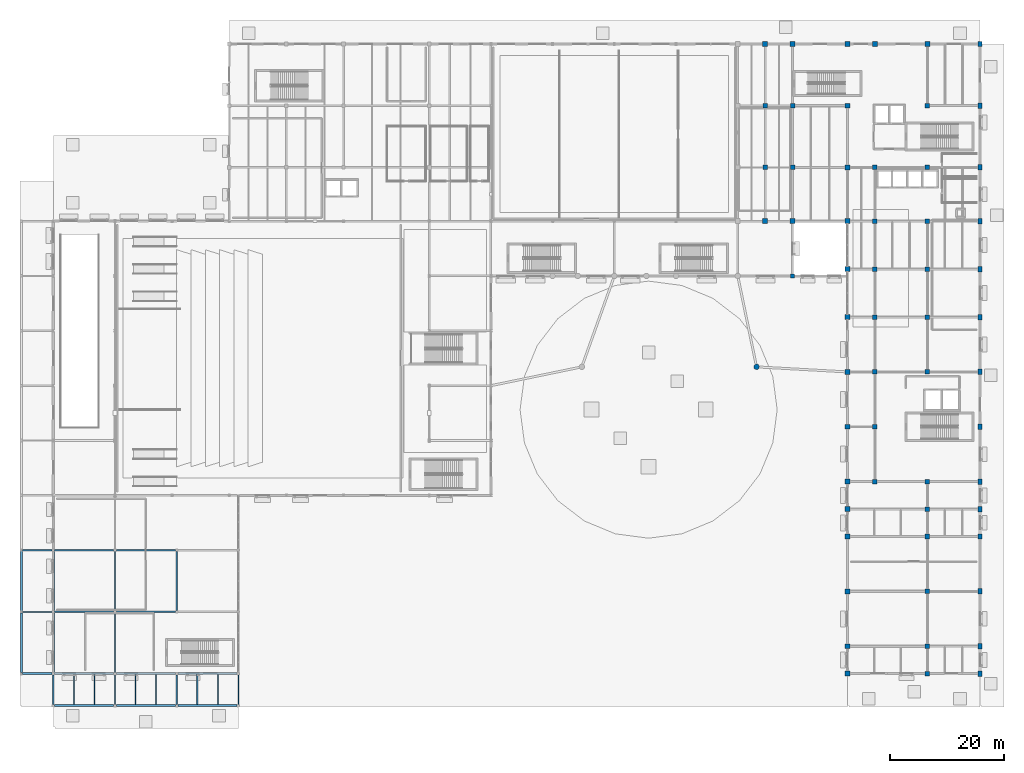
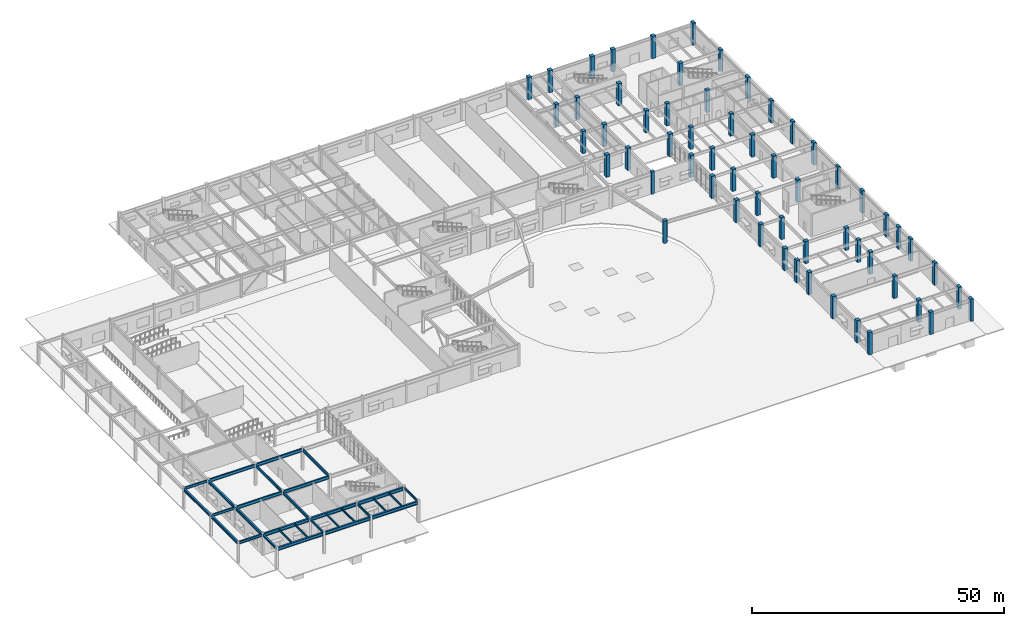
# One storey, part 9 of 54: 59 columns, 30 beams.
"""IFC4 building model written with IfcOpenShell, lengths in metres."""

from ifc_helpers import new_model, si_unit, direction, frame, origin, origin_2d, place, context, subcontext, project, spatial, rectangle, circle, i_section, extrude, material, material_profile, profile_set, type_object, element, save


model = new_model("IFC4")

# Units and contexts
model_context = context("Model", 3, precision=1e-05, world=origin(), true_north=direction((0.0, 1.0)))
body_context = subcontext(model_context, "Body", "Model", "MODEL_VIEW")
ifc_project = project(units=[si_unit("LENGTHUNIT", "METRE"), si_unit("AREAUNIT", "SQUARE_METRE"), si_unit("VOLUMEUNIT", "CUBIC_METRE"), si_unit("PLANEANGLEUNIT", "RADIAN"), si_unit("MASSUNIT", "GRAM", prefix="KILO")], contexts=[model_context])

# Site, building, storey
site_placement = place(None, origin())
site = spatial("IfcSite", under=ifc_project, at=site_placement, CompositionType="ELEMENT")
building_placement = place(site_placement, origin())
building = spatial("IfcBuilding", under=site, at=building_placement, Name="Veldera Park Congress Hotel", CompositionType="ELEMENT")
storey_placement = place(building_placement, origin())
storey = spatial("IfcBuildingStorey", under=building, at=storey_placement, Name="L00", CompositionType="ELEMENT", Elevation=0.0)

# Columns
ifc_material_1 = material(Name="Concrete f'c 50 MPa (7,250 psi)", Category="concrete")
ifc_material_profile_1 = material_profile(ifc_material_1, rectangle(XDim=0.64990234375, YDim=0.949951171875, at=origin_2d()), Name="RC 650x950")
ifc_profile_set_1 = profile_set([ifc_material_profile_1], Name="Concrete f'c 50 MPa (7,250 psi)")
column_type_1 = type_object("IfcColumnType", Name="COL-PIL90E", PredefinedType="PILASTER", material=ifc_profile_set_1)
for number, where, z_axis, x_axis, name in (
    (1, (84.0, -52.199951171875, 0.0), (0.0, 0.0, 1.0), (1.0, 0.0, 0.0), "L00 Column COL-PIL90E (84.0,-52.2)"),
    (2, (84.0, -47.39990234375, 0.0), (0.0, 0.0, 1.0), (1.0, 0.0, 0.0), "L00 Column COL-PIL90E (84.0,-47.4)"),
    (3, (84.0, -37.800048828125, 0.0), (0.0, 0.0, 1.0), (1.0, 0.0, 0.0), "L00 Column COL-PIL90E (84.0,-37.8)"),
    (4, (84.0, -28.199951171875, 0.0), (0.0, 0.0, 1.0), (1.0, 0.0, 0.0), "L00 Column COL-PIL90E (84.0,-28.2)"),
    (5, (84.0, -23.39990234375, 0.0), (0.0, 0.0, 1.0), (1.0, 0.0, 0.0), "L00 Column COL-PIL90E (84.0,-23.4)"),
    (6, (84.0, -18.60009765625, 0.0), (0.0, 0.0, 1.0), (1.0, 0.0, 0.0), "L00 Column COL-PIL90E (84.0,-18.6)"),
    (7, (84.0, -9.0, 0.0), (0.0, 0.0, 1.0), (1.0, 0.0, 0.0), "L00 Column COL-PIL90E (84.0,-9.0)"),
    (8, (84.0, 0.60009765625, 0.0), (0.0, 0.0, 1.0), (1.0, 0.0, 0.0), "L00 Column COL-PIL90E (84.0,0.6)"),
    (9, (84.0, 10.199951171875, 0.0), (0.0, 0.0, 1.0), (1.0, 0.0, 0.0), "L00 Column COL-PIL90E (84.0,10.2)"),
    (10, (84.0, 18.60009765625, 0.0), (0.0, 0.0, 1.0), (1.0, 0.0, 0.0), "L00 Column COL-PIL90E (84.0,18.6)"),
    (11, (84.0, 27.0, 0.0), (0.0, 0.0, 1.0), (1.0, 0.0, 0.0), "L00 Column COL-PIL90E (84.0,27.0)"),
    (12, (84.0, 36.39990234375, 0.0), (0.0, 0.0, 1.0), (1.0, 0.0, 0.0), "L00 Column COL-PIL90E (84.0,36.4)"),
    (13, (84.0, 47.199951171875, 0.0), (0.0, 0.0, 1.0), (1.0, 0.0, 0.0), "L00 Column COL-PIL90E (84.0,47.2)"),
    (14, (84.0, 58.0, 0.0), (0.0, 0.0, 1.0), (1.0, 0.0, 0.0), "L00 Column COL-PIL90E (84.0,58.0)"),
):
    element("IfcColumn", number, at=place(storey_placement, frame(where, z_axis=z_axis, x_axis=x_axis)), inside=storey, type_object=column_type_1, Name=name, PredefinedType="PILASTER", context=body_context, shape_type="SweptSolid", body=[
        extrude(rectangle(XDim=0.64990234375, YDim=0.949951171875, at=origin_2d()), origin(), (0.0, 0.0, 1.0), 5.39990234375),
    ])
ifc_material_2 = material(Name="Concrete f'c 40 MPa (5,800 psi)", Category="concrete")
ifc_material_profile_2 = material_profile(ifc_material_2, rectangle(XDim=0.699951171875, YDim=0.699951171875, at=origin_2d()), Name="RC 700x700")
ifc_profile_set_2 = profile_set([ifc_material_profile_2], Name="Concrete f'c 40 MPa (5,800 psi)")
column_type_2 = type_object("IfcColumnType", Name="COL-RC65E", PredefinedType="COLUMN", material=ifc_profile_set_2)
column_1_placement = place(storey_placement, frame((51.199951171875, 17.39990234375, 0.0), z_axis=(0.0, 0.0, 1.0), x_axis=(1.0, 0.0, 0.0)))
element("IfcColumn", 15, at=column_1_placement, inside=storey, type_object=column_type_2, Name="L00 Column COL-RC65E (51.2,17.4)", PredefinedType="COLUMN", context=body_context, shape_type="SweptSolid", body=[
    extrude(rectangle(XDim=0.699951171875, YDim=0.699951171875, at=origin_2d()), origin(), (0.0, 0.0, 1.0), 5.39990234375),
])
ifc_material_profile_3 = material_profile(ifc_material_1, rectangle(XDim=0.800048828125, YDim=0.800048828125, at=origin_2d()), Name="RC 800x800")
ifc_profile_set_3 = profile_set([ifc_material_profile_3], Name="Concrete f'c 50 MPa (7,250 psi)")
column_type_3 = type_object("IfcColumnType", Name="COL-RC80", PredefinedType="COLUMN", material=ifc_profile_set_3)
for number, where, z_axis, x_axis, name in (
    (16, (74.800048828125, -52.199951171875, 0.0), (0.0, 0.0, 1.0), (1.0, 0.0, 0.0), "L00 Column COL-RC80 (74.8,-52.2)"),
    (17, (74.800048828125, -47.39990234375, 0.0), (0.0, 0.0, 1.0), (1.0, 0.0, 0.0), "L00 Column COL-RC80 (74.8,-47.4)"),
    (18, (74.800048828125, -37.800048828125, 0.0), (0.0, 0.0, 1.0), (1.0, 0.0, 0.0), "L00 Column COL-RC80 (74.8,-37.8)"),
    (19, (74.800048828125, -28.199951171875, 0.0), (0.0, 0.0, 1.0), (1.0, 0.0, 0.0), "L00 Column COL-RC80 (74.8,-28.2)"),
    (20, (74.800048828125, -23.39990234375, 0.0), (0.0, 0.0, 1.0), (1.0, 0.0, 0.0), "L00 Column COL-RC80 (74.8,-23.4)"),
    (21, (74.800048828125, -18.60009765625, 0.0), (0.0, 0.0, 1.0), (1.0, 0.0, 0.0), "L00 Column COL-RC80 (74.8,-18.6)"),
    (22, (74.800048828125, 0.60009765625, 0.0), (0.0, 0.0, 1.0), (1.0, 0.0, 0.0), "L00 Column COL-RC80 (74.8,0.6)"),
    (23, (74.800048828125, 10.199951171875, 0.0), (0.0, 0.0, 1.0), (1.0, 0.0, 0.0), "L00 Column COL-RC80 (74.8,10.2)"),
    (24, (74.800048828125, 18.60009765625, 0.0), (0.0, 0.0, 1.0), (1.0, 0.0, 0.0), "L00 Column COL-RC80 (74.8,18.6)"),
    (25, (74.800048828125, 27.0, 0.0), (0.0, 0.0, 1.0), (1.0, 0.0, 0.0), "L00 Column COL-RC80 (74.8,27.0)"),
    (26, (74.800048828125, 36.39990234375, 0.0), (0.0, 0.0, 1.0), (1.0, 0.0, 0.0), "L00 Column COL-RC80 (74.8,36.4)"),
    (27, (74.800048828125, 47.199951171875, 0.0), (0.0, 0.0, 1.0), (1.0, 0.0, 0.0), "L00 Column COL-RC80 (74.8,47.2)"),
    (28, (65.60009765625, -18.60009765625, 0.0), (0.0, 0.0, 1.0), (1.0, 0.0, 0.0), "L00 Column COL-RC80 (65.6,-18.6)"),
    (29, (65.60009765625, -9.0, 0.0), (0.0, 0.0, 1.0), (1.0, 0.0, 0.0), "L00 Column COL-RC80 (65.6,-9.0)"),
    (30, (65.60009765625, 0.60009765625, 0.0), (0.0, 0.0, 1.0), (1.0, 0.0, 0.0), "L00 Column COL-RC80 (65.6,0.6)"),
    (31, (65.60009765625, 10.199951171875, 0.0), (0.0, 0.0, 1.0), (1.0, 0.0, 0.0), "L00 Column COL-RC80 (65.6,10.2)"),
    (32, (65.60009765625, 18.60009765625, 0.0), (0.0, 0.0, 1.0), (1.0, 0.0, 0.0), "L00 Column COL-RC80 (65.6,18.6)"),
    (33, (65.60009765625, 27.0, 0.0), (0.0, 0.0, 1.0), (1.0, 0.0, 0.0), "L00 Column COL-RC80 (65.6,27.0)"),
    (34, (65.60009765625, 36.39990234375, 0.0), (0.0, 0.0, 1.0), (1.0, 0.0, 0.0), "L00 Column COL-RC80 (65.6,36.4)"),
    (35, (46.39990234375, 36.39990234375, 0.0), (0.0, 0.0, 1.0), (1.0, 0.0, 0.0), "L00 Column COL-RC80 (46.4,36.4)"),
    (36, (46.39990234375, 47.199951171875, 0.0), (0.0, 0.0, 1.0), (1.0, 0.0, 0.0), "L00 Column COL-RC80 (46.4,47.2)"),
    (37, (51.199951171875, 36.39990234375, 0.0), (0.0, 0.0, 1.0), (1.0, 0.0, 0.0), "L00 Column COL-RC80 (51.2,36.4)"),
    (38, (51.199951171875, 47.199951171875, 0.0), (0.0, 0.0, 1.0), (1.0, 0.0, 0.0), "L00 Column COL-RC80 (51.2,47.2)"),
):
    element("IfcColumn", number, at=place(storey_placement, frame(where, z_axis=z_axis, x_axis=x_axis)), inside=storey, type_object=column_type_3, Name=name, PredefinedType="COLUMN", context=body_context, shape_type="SweptSolid", body=[
        extrude(rectangle(XDim=0.800048828125, YDim=0.800048828125, at=origin_2d()), origin(), (0.0, 0.0, 1.0), 5.39990234375),
    ])
ifc_material_profile_4 = material_profile(ifc_material_1, rectangle(XDim=0.85009765625, YDim=0.85009765625, at=origin_2d()), Name="RC 850x850")
ifc_profile_set_4 = profile_set([ifc_material_profile_4], Name="Concrete f'c 50 MPa (7,250 psi)")
column_type_4 = type_object("IfcColumnType", Name="COL-RC80E", PredefinedType="COLUMN", material=ifc_profile_set_4)
for number, where, z_axis, x_axis, name in (
    (39, (60.800048828125, -52.199951171875, 0.0), (0.0, 0.0, 1.0), (1.0, 0.0, 0.0), "L00 Column COL-RC80E (60.8,-52.2)"),
    (40, (60.800048828125, -47.39990234375, 0.0), (0.0, 0.0, 1.0), (1.0, 0.0, 0.0), "L00 Column COL-RC80E (60.8,-47.4)"),
    (41, (60.800048828125, -37.800048828125, 0.0), (0.0, 0.0, 1.0), (1.0, 0.0, 0.0), "L00 Column COL-RC80E (60.8,-37.8)"),
    (42, (60.800048828125, -28.199951171875, 0.0), (0.0, 0.0, 1.0), (1.0, 0.0, 0.0), "L00 Column COL-RC80E (60.8,-28.2)"),
    (43, (60.800048828125, -23.39990234375, 0.0), (0.0, 0.0, 1.0), (1.0, 0.0, 0.0), "L00 Column COL-RC80E (60.8,-23.4)"),
    (44, (60.800048828125, -18.60009765625, 0.0), (0.0, 0.0, 1.0), (1.0, 0.0, 0.0), "L00 Column COL-RC80E (60.8,-18.6)"),
    (45, (60.800048828125, -9.0, 0.0), (0.0, 0.0, 1.0), (1.0, 0.0, 0.0), "L00 Column COL-RC80E (60.8,-9.0)"),
    (46, (60.800048828125, 0.60009765625, 0.0), (0.0, 0.0, 1.0), (1.0, 0.0, 0.0), "L00 Column COL-RC80E (60.8,0.6)"),
    (47, (60.800048828125, 10.199951171875, 0.0), (0.0, 0.0, 1.0), (1.0, 0.0, 0.0), "L00 Column COL-RC80E (60.8,10.2)"),
    (48, (60.800048828125, 18.60009765625, 0.0), (0.0, 0.0, 1.0), (1.0, 0.0, 0.0), "L00 Column COL-RC80E (60.8,18.6)"),
    (49, (60.800048828125, 27.0, 0.0), (0.0, 0.0, 1.0), (1.0, 0.0, 0.0), "L00 Column COL-RC80E (60.8,27.0)"),
    (50, (60.800048828125, 36.39990234375, 0.0), (0.0, 0.0, 1.0), (1.0, 0.0, 0.0), "L00 Column COL-RC80E (60.8,36.4)"),
    (51, (60.800048828125, 47.199951171875, 0.0), (0.0, 0.0, 1.0), (1.0, 0.0, 0.0), "L00 Column COL-RC80E (60.8,47.2)"),
    (52, (60.800048828125, 58.0, 0.0), (0.0, 0.0, 1.0), (1.0, 0.0, 0.0), "L00 Column COL-RC80E (60.8,58.0)"),
    (53, (74.800048828125, 58.0, 0.0), (0.0, 0.0, 1.0), (1.0, 0.0, 0.0), "L00 Column COL-RC80E (74.8,58.0)"),
    (54, (65.60009765625, 58.0, 0.0), (0.0, 0.0, 1.0), (1.0, 0.0, 0.0), "L00 Column COL-RC80E (65.6,58.0)"),
    (55, (46.39990234375, 27.0, 0.0), (0.0, 0.0, 1.0), (1.0, 0.0, 0.0), "L00 Column COL-RC80E (46.4,27.0)"),
    (56, (46.39990234375, 58.0, 0.0), (0.0, 0.0, 1.0), (1.0, 0.0, 0.0), "L00 Column COL-RC80E (46.4,58.0)"),
    (57, (51.199951171875, 27.0, 0.0), (0.0, 0.0, 1.0), (1.0, 0.0, 0.0), "L00 Column COL-RC80E (51.2,27.0)"),
    (58, (51.199951171875, 58.0, 0.0), (0.0, 0.0, 1.0), (1.0, 0.0, 0.0), "L00 Column COL-RC80E (51.2,58.0)"),
):
    element("IfcColumn", number, at=place(storey_placement, frame(where, z_axis=z_axis, x_axis=x_axis)), inside=storey, type_object=column_type_4, Name=name, PredefinedType="COLUMN", context=body_context, shape_type="SweptSolid", body=[
        extrude(rectangle(XDim=0.85009765625, YDim=0.85009765625, at=origin_2d()), origin(), (0.0, 0.0, 1.0), 5.39990234375),
    ])
ifc_material_profile_5 = material_profile(ifc_material_1, circle(Radius=0.47509765625, at=origin_2d()), Name="RC D950")
ifc_profile_set_5 = profile_set([ifc_material_profile_5], Name="Concrete f'c 50 MPa (7,250 psi)")
column_type_5 = type_object("IfcColumnType", Name="COL-RCD90E", PredefinedType="COLUMN", material=ifc_profile_set_5)
column_2_placement = place(storey_placement, frame((44.89013671875, 1.489990234375, 0.0), z_axis=(0.0, 0.0, 1.0), x_axis=(1.0, 0.0, 0.0)))
element("IfcColumn", 59, at=column_2_placement, inside=storey, type_object=column_type_5, Name="L00 Column COL-RCD90E (44.9,1.5)", PredefinedType="COLUMN", context=body_context, shape_type="SweptSolid", body=[
    extrude(circle(Radius=0.47509765625, at=origin_2d()), origin(), (0.0, 0.0, 1.0), 5.39990234375),
])

# Beams
ifc_material_3 = material(Name="Steel ASTM A992 Gr.50", Category="steel")
ifc_material_profile_6 = material_profile(ifc_material_3, i_section(OverallWidth=0.214111328125, OverallDepth=0.549072265625, WebThickness=0.0146484375, FlangeThickness=0.023681640625, at=origin_2d()), Name="W21X93")
ifc_profile_set_6 = profile_set([ifc_material_profile_6], Name="Steel ASTM A992 Gr.50")
beam_type_1 = type_object("IfcBeamType", Name="BM-W21B", PredefinedType="BEAM", material=ifc_profile_set_6)
for number, where, z_axis, x_axis, name in (
    (60, (-67.39990234375, -57.574951171875, 4.845458984375), (0.0, 1.0, 0.0), (-1.0, 0.0, 0.0), "L00 Girder BM-W21B 402"),
    (61, (-56.60009765625, -57.574951171875, 4.845458984375), (0.0, 1.0, 0.0), (-1.0, 0.0, 0.0), "L00 Girder BM-W21B 411"),
    (62, (-45.800048828125, -57.574951171875, 4.845458984375), (0.0, 1.0, 0.0), (-1.0, 0.0, 0.0), "L00 Girder BM-W21B 416"),
):
    element("IfcBeam", number, at=place(storey_placement, frame(where, z_axis=z_axis, x_axis=x_axis)), inside=storey, type_object=beam_type_1, Name=name, PredefinedType="BEAM", context=body_context, shape_type="SweptSolid", body=[
        extrude(i_section(OverallWidth=0.214111328125, OverallDepth=0.549072265625, WebThickness=0.0146484375, FlangeThickness=0.023681640625, at=origin_2d()), origin(), (0.0, 0.0, 1.0), 5.14990234375),
    ])
ifc_material_profile_7 = material_profile(ifc_material_3, i_section(OverallWidth=0.31494140625, OverallDepth=0.551025390625, WebThickness=0.01513671875, FlangeThickness=0.0244140625, at=origin_2d()), Name="W21X122")
ifc_profile_set_7 = profile_set([ifc_material_profile_7], Name="Steel ASTM A992 Gr.50")
beam_type_2 = type_object("IfcBeamType", Name="BM-W21BE", PredefinedType="BEAM", material=ifc_profile_set_7)
beam_1_placement = place(storey_placement, frame((-78.199951171875, -57.574951171875, 4.844482421875), z_axis=(0.0, 1.0, 0.0), x_axis=(-1.0, 0.0, 0.0)))
element("IfcBeam", 63, at=beam_1_placement, inside=storey, type_object=beam_type_2, Name="L00 Girder BM-W21BE 393", PredefinedType="BEAM", context=body_context, shape_type="SweptSolid", body=[
    extrude(i_section(OverallWidth=0.31494140625, OverallDepth=0.551025390625, WebThickness=0.01513671875, FlangeThickness=0.0244140625, at=origin_2d()), origin(), (0.0, 0.0, 1.0), 5.14990234375),
])
ifc_material_profile_8 = material_profile(ifc_material_3, i_section(OverallWidth=0.22900390625, OverallDepth=0.612060546875, WebThickness=0.011962890625, FlangeThickness=0.01953125, at=origin_2d()), Name="W24X84")
ifc_profile_set_8 = profile_set([ifc_material_profile_8], Name="Steel ASTM A992 Gr.50")
beam_type_3 = type_object("IfcBeamType", Name="BM-W24", PredefinedType="BEAM", material=ifc_profile_set_8)
for number, where, z_axis, x_axis, name in (
    (64, (-83.614501953125, -41.39990234375, 4.81396484375), (1.0, 0.0, 0.0), (0.0, 1.0, 0.0), "L00 Girder BM-W24 285"),
    (65, (-83.614501953125, -30.60009765625, 4.81396484375), (1.0, 0.0, 0.0), (0.0, 1.0, 0.0), "L00 Girder BM-W24 291"),
):
    element("IfcBeam", number, at=place(storey_placement, frame(where, z_axis=z_axis, x_axis=x_axis)), inside=storey, type_object=beam_type_3, Name=name, PredefinedType="BEAM", context=body_context, shape_type="SweptSolid", body=[
        extrude(i_section(OverallWidth=0.22900390625, OverallDepth=0.612060546875, WebThickness=0.011962890625, FlangeThickness=0.01953125, at=origin_2d()), origin(), (0.0, 0.0, 1.0), 5.189453125),
    ])
ifc_material_profile_9 = material_profile(ifc_material_3, i_section(OverallWidth=0.323974609375, OverallDepth=0.612060546875, WebThickness=0.0126953125, FlangeThickness=0.01904296875, at=origin_2d()), Name="W24X104")
ifc_profile_set_9 = profile_set([ifc_material_profile_9], Name="Steel ASTM A992 Gr.50")
beam_type_4 = type_object("IfcBeamType", Name="BM-W24E", PredefinedType="BEAM", material=ifc_profile_set_9)
beam_2_placement = place(storey_placement, frame((-83.614501953125, -52.199951171875, 4.81396484375), z_axis=(1.0, 0.0, 0.0), x_axis=(0.0, 1.0, 0.0)))
element("IfcBeam", 66, at=beam_2_placement, inside=storey, type_object=beam_type_4, Name="L00 Girder BM-W24E 277", PredefinedType="BEAM", context=body_context, shape_type="SweptSolid", body=[
    extrude(i_section(OverallWidth=0.323974609375, OverallDepth=0.612060546875, WebThickness=0.0126953125, FlangeThickness=0.01904296875, at=origin_2d()), origin(), (0.0, 0.0, 1.0), 5.189453125),
])
ifc_material_profile_10 = material_profile(ifc_material_3, i_section(OverallWidth=0.256103515625, OverallDepth=0.693115234375, WebThickness=0.014404296875, FlangeThickness=0.023681640625, at=origin_2d()), Name="W27X114")
ifc_profile_set_10 = profile_set([ifc_material_profile_10], Name="Steel ASTM A992 Gr.50")
beam_type_5 = type_object("IfcBeamType", Name="BM-W27", PredefinedType="BEAM", material=ifc_profile_set_10)
for number, where, z_axis, x_axis, name in (
    (67, (-67.39990234375, -51.97509765625, 4.7734375), (0.0, 1.0, 0.0), (-1.0, 0.0, 0.0), "L00 Girder BM-W27 403"),
    (68, (-67.39990234375, -41.175048828125, 4.7734375), (0.0, 1.0, 0.0), (-1.0, 0.0, 0.0), "L00 Girder BM-W27 404"),
    (69, (-56.60009765625, -41.175048828125, 4.7734375), (0.0, 1.0, 0.0), (-1.0, 0.0, 0.0), "L00 Girder BM-W27 412"),
):
    element("IfcBeam", number, at=place(storey_placement, frame(where, z_axis=z_axis, x_axis=x_axis)), inside=storey, type_object=beam_type_5, Name=name, PredefinedType="BEAM", context=body_context, shape_type="SweptSolid", body=[
        extrude(i_section(OverallWidth=0.256103515625, OverallDepth=0.693115234375, WebThickness=0.014404296875, FlangeThickness=0.023681640625, at=origin_2d()), origin(), (0.0, 0.0, 1.0), 10.35009765625),
    ])
ifc_material_profile_11 = material_profile(ifc_material_3, i_section(OverallWidth=0.35498046875, OverallDepth=0.696044921875, WebThickness=0.015380859375, FlangeThickness=0.02490234375, at=origin_2d()), Name="W27X146")
ifc_profile_set_11 = profile_set([ifc_material_profile_11], Name="Steel ASTM A992 Gr.50")
beam_type_6 = type_object("IfcBeamType", Name="BM-W27E", PredefinedType="BEAM", material=ifc_profile_set_11)
for number, where, z_axis, x_axis, name in (
    (70, (-83.800048828125, -52.01806640625, 4.77197265625), (0.0, 1.0, 0.0), (-1.0, 0.0, 0.0), "L00 Girder BM-W27E 385"),
    (71, (-83.800048828125, -41.218017578125, 4.77197265625), (0.0, 1.0, 0.0), (-1.0, 0.0, 0.0), "L00 Girder BM-W27E 386"),
):
    element("IfcBeam", number, at=place(storey_placement, frame(where, z_axis=z_axis, x_axis=x_axis)), inside=storey, type_object=beam_type_6, Name=name, PredefinedType="BEAM", context=body_context, shape_type="SweptSolid", body=[
        extrude(i_section(OverallWidth=0.35498046875, OverallDepth=0.696044921875, WebThickness=0.015380859375, FlangeThickness=0.02490234375, at=origin_2d()), origin(), (0.0, 0.0, 1.0), 10.43603515625),
    ])
for number, where, z_axis, x_axis, name in (
    (72, (-78.199951171875, -51.97509765625, 4.77197265625), (0.0, 1.0, 0.0), (-1.0, 0.0, 0.0), "L00 Girder BM-W27E 394"),
    (73, (-78.199951171875, -41.175048828125, 4.77197265625), (0.0, 1.0, 0.0), (-1.0, 0.0, 0.0), "L00 Girder BM-W27E 395"),
):
    element("IfcBeam", number, at=place(storey_placement, frame(where, z_axis=z_axis, x_axis=x_axis)), inside=storey, type_object=beam_type_6, Name=name, PredefinedType="BEAM", context=body_context, shape_type="SweptSolid", body=[
        extrude(i_section(OverallWidth=0.35498046875, OverallDepth=0.696044921875, WebThickness=0.015380859375, FlangeThickness=0.02490234375, at=origin_2d()), origin(), (0.0, 0.0, 1.0), 10.35009765625),
    ])
ifc_material_profile_12 = material_profile(ifc_material_3, i_section(OverallWidth=0.26708984375, OverallDepth=0.779052734375, WebThickness=0.0166015625, FlangeThickness=0.030029296875, at=origin_2d()), Name="W30X148")
ifc_profile_set_12 = profile_set([ifc_material_profile_12], Name="Steel ASTM A992 Gr.50")
beam_type_7 = type_object("IfcBeamType", Name="BM-W30", PredefinedType="BEAM", material=ifc_profile_set_12)
for number, where, z_axis, x_axis, name in (
    (74, (-77.97509765625, -41.39990234375, 4.73046875), (1.0, 0.0, 0.0), (0.0, 1.0, 0.0), "L00 Girder BM-W30 286"),
    (75, (-67.175048828125, -41.39990234375, 4.73046875), (1.0, 0.0, 0.0), (0.0, 1.0, 0.0), "L00 Girder BM-W30 287"),
    (76, (-77.97509765625, -30.60009765625, 4.73046875), (1.0, 0.0, 0.0), (0.0, 1.0, 0.0), "L00 Girder BM-W30 292"),
    (77, (-67.175048828125, -30.60009765625, 4.73046875), (1.0, 0.0, 0.0), (0.0, 1.0, 0.0), "L00 Girder BM-W30 293"),
):
    element("IfcBeam", number, at=place(storey_placement, frame(where, z_axis=z_axis, x_axis=x_axis)), inside=storey, type_object=beam_type_7, Name=name, PredefinedType="BEAM", context=body_context, shape_type="SweptSolid", body=[
        extrude(i_section(OverallWidth=0.26708984375, OverallDepth=0.779052734375, WebThickness=0.0166015625, FlangeThickness=0.030029296875, at=origin_2d()), origin(), (0.0, 0.0, 1.0), 10.35009765625),
    ])
ifc_material_profile_13 = material_profile(ifc_material_3, i_section(OverallWidth=0.382080078125, OverallDepth=0.779052734375, WebThickness=0.01806640625, FlangeThickness=0.030029296875, at=origin_2d()), Name="W30X191")
ifc_profile_set_13 = profile_set([ifc_material_profile_13], Name="Steel ASTM A992 Gr.50")
beam_type_8 = type_object("IfcBeamType", Name="BM-W30E", PredefinedType="BEAM", material=ifc_profile_set_13)
for number, where, z_axis, x_axis, name in (
    (78, (-77.97509765625, -57.800048828125, 4.73046875), (1.0, 0.0, 0.0), (0.0, 1.0, 0.0), "L00 Girder BM-W30E 274"),
    (79, (-67.175048828125, -57.800048828125, 4.73046875), (1.0, 0.0, 0.0), (0.0, 1.0, 0.0), "L00 Girder BM-W30E 275"),
    (80, (-56.375, -57.800048828125, 4.73046875), (1.0, 0.0, 0.0), (0.0, 1.0, 0.0), "L00 Girder BM-W30E 276"),
    (81, (-77.97509765625, -52.199951171875, 4.73046875), (1.0, 0.0, 0.0), (0.0, 1.0, 0.0), "L00 Girder BM-W30E 278"),
    (82, (-67.175048828125, -52.199951171875, 4.73046875), (1.0, 0.0, 0.0), (0.0, 1.0, 0.0), "L00 Girder BM-W30E 279"),
    (83, (-56.375, -52.199951171875, 4.73046875), (1.0, 0.0, 0.0), (0.0, 1.0, 0.0), "L00 Girder BM-W30E 280"),
):
    element("IfcBeam", number, at=place(storey_placement, frame(where, z_axis=z_axis, x_axis=x_axis)), inside=storey, type_object=beam_type_8, Name=name, PredefinedType="BEAM", context=body_context, shape_type="SweptSolid", body=[
        extrude(i_section(OverallWidth=0.382080078125, OverallDepth=0.779052734375, WebThickness=0.01806640625, FlangeThickness=0.030029296875, at=origin_2d()), origin(), (0.0, 0.0, 1.0), 10.35009765625),
    ])
ifc_material_profile_14 = material_profile(ifc_material_3, i_section(OverallWidth=0.19091796875, OverallDepth=0.45703125, WebThickness=0.009033203125, FlangeThickness=0.014404296875, at=origin_2d()), Name="W18X50")
ifc_profile_set_14 = profile_set([ifc_material_profile_14], Name="Steel ASTM A992 Gr.50")
beam_type_9 = type_object("IfcBeamType", Name="JST-W18", PredefinedType="JOIST", material=ifc_profile_set_14)
for number, where, z_axis, x_axis, name in (
    (84, (-74.60009765625, -57.60888671875, 4.8916015625), (0.0, 1.0, 0.0), (-1.0, 0.0, 0.0), "L00 Floor Joist JST-W18 491"),
    (85, (-71.0, -57.60888671875, 4.8916015625), (0.0, 1.0, 0.0), (-1.0, 0.0, 0.0), "L00 Floor Joist JST-W18 492"),
    (86, (-63.800048828125, -57.60888671875, 4.8916015625), (0.0, 1.0, 0.0), (-1.0, 0.0, 0.0), "L00 Floor Joist JST-W18 493"),
    (87, (-60.199951171875, -57.60888671875, 4.8916015625), (0.0, 1.0, 0.0), (-1.0, 0.0, 0.0), "L00 Floor Joist JST-W18 494"),
    (88, (-53.0, -57.60888671875, 4.8916015625), (0.0, 1.0, 0.0), (-1.0, 0.0, 0.0), "L00 Floor Joist JST-W18 495"),
    (89, (-49.39990234375, -57.60888671875, 4.8916015625), (0.0, 1.0, 0.0), (-1.0, 0.0, 0.0), "L00 Floor Joist JST-W18 496"),
):
    element("IfcBeam", number, at=place(storey_placement, frame(where, z_axis=z_axis, x_axis=x_axis)), inside=storey, type_object=beam_type_9, Name=name, PredefinedType="JOIST", context=body_context, shape_type="SweptSolid", body=[
        extrude(i_section(OverallWidth=0.19091796875, OverallDepth=0.45703125, WebThickness=0.009033203125, FlangeThickness=0.014404296875, at=origin_2d()), origin(), (0.0, 0.0, 1.0), 5.2177734375),
    ])

save(model, "model.ifc")
